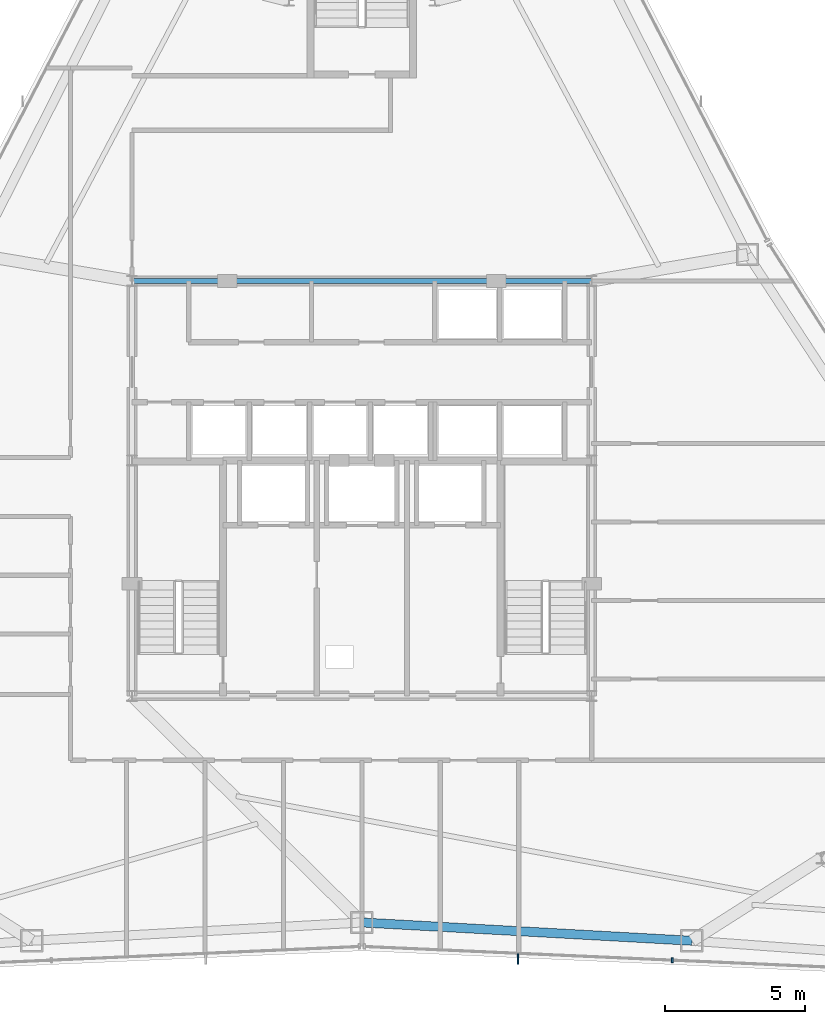
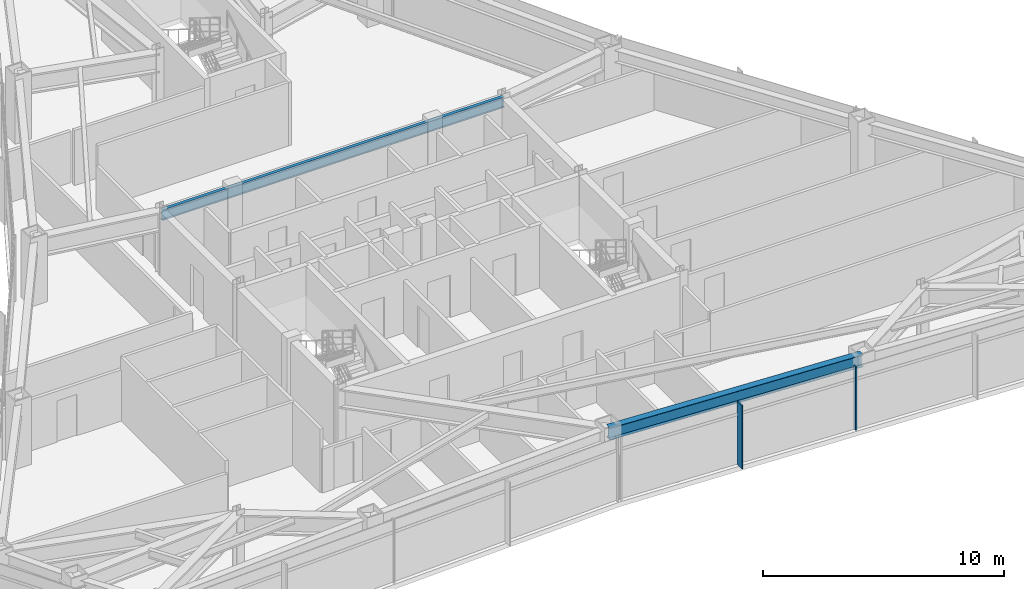
# One storey, part 6 of 13: 2 beams, 2 members, 1 element without a shape of its own.
"""IFC4 building model written with IfcOpenShell, lengths in metres."""

from ifc_helpers import new_model, si_unit, direction, frame, origin, origin_2d, place, context, subcontext, project, spatial, rectangle, i_section, extrude, source, transform, mapped, material, layer, layer_set, material_profile, profile_set, type_object, type_shapes, element, aggregate, save


model = new_model("IFC4")

# Units and contexts
model_context = context("Model", 3, precision=1e-05, world=origin(), true_north=direction((0.0, 1.0)))
body_context = subcontext(model_context, "Body", "Model", "MODEL_VIEW")
ifc_project = project(units=[si_unit("LENGTHUNIT", "METRE"), si_unit("AREAUNIT", "SQUARE_METRE"), si_unit("VOLUMEUNIT", "CUBIC_METRE"), si_unit("PLANEANGLEUNIT", "RADIAN"), si_unit("MASSUNIT", "GRAM", prefix="KILO")], contexts=[model_context])

# Site, building, storey
site_placement = place(None, origin())
site = spatial("IfcSite", under=ifc_project, at=site_placement, CompositionType="ELEMENT")
building_placement = place(site_placement, origin())
building = spatial("IfcBuilding", under=site, at=building_placement, Name="Varakhsha Concourse Tower", CompositionType="ELEMENT")
storey_placement = place(building_placement, frame((0.0, 0.0, 189.60009765625)))
storey = spatial("IfcBuildingStorey", under=building, at=storey_placement, Name="L54", CompositionType="ELEMENT", Elevation=189.60009765625)

# Beams
ifc_material_1 = material(Name="Structural Steel ASTM A992 Grade 50", Category="steel")
ifc_material_profile_1 = material_profile(ifc_material_1, i_section(OverallWidth=0.1669921875, OverallDepth=0.534912109375, WebThickness=0.010009765625, FlangeThickness=0.01708984375, at=origin_2d()), Name="W21X57")
ifc_profile_set_1 = profile_set([ifc_material_profile_1], Name="Structural Steel ASTM A992 Grade 50")
beam_type_1 = type_object("IfcBeamType", Name="BM-RAD-W21X57", PredefinedType="BEAM", material=ifc_profile_set_1)
beam_1_placement = place(storey_placement, frame((31.800048828125, 31.199951171875, 2.9423828125), z_axis=(1.0, 0.0, 0.0), x_axis=(0.0, 1.0, 0.0)))
element("IfcBeam", 1, at=beam_1_placement, inside=storey, type_object=beam_type_1, Name="BM-TCORE-L54-CN", PredefinedType="BEAM", context=body_context, shape_type="SweptSolid", body=[
    extrude(i_section(OverallWidth=0.1669921875, OverallDepth=0.534912109375, WebThickness=0.010009765625, FlangeThickness=0.01708984375, at=origin_2d()), origin(), (0.0, 0.0, 1.0), 16.39990234375),
])
ifc_material_profile_2 = material_profile(ifc_material_1, i_section(OverallWidth=0.323974609375, OverallDepth=0.611083984375, WebThickness=0.012939453125, FlangeThickness=0.01904296875, at=origin_2d()), Name="W24X104")
ifc_profile_set_2 = profile_set([ifc_material_profile_2], Name="Structural Steel ASTM A992 Grade 50")
beam_type_2 = type_object("IfcBeamType", Name="BM-SPAN-W24X104", PredefinedType="SPANDREL", material=ifc_profile_set_2)
beam_2_placement = place(storey_placement, frame((40.0, 8.3125, 2.904296875), z_axis=(0.998465571879, -0.055376003582, 0.0), x_axis=(0.055376003582, 0.998465571879, 0.0)))
element("IfcBeam", 2, at=beam_2_placement, inside=storey, type_object=beam_type_2, Name="BM-SPAN-L54-11", PredefinedType="SPANDREL", context=body_context, shape_type="SweptSolid", body=[
    extrude(i_section(OverallWidth=0.323974609375, OverallDepth=0.611083984375, WebThickness=0.012939453125, FlangeThickness=0.01904296875, at=origin_2d()), origin(), (0.0, 0.0, 1.0), 11.79345703125),
])

# Curtain wall, members
ifc_material_2 = material(Name="Anodised Bronze Architectural Aluminium AA 6063-T6", Category="aluminium")
ifc_layer = layer(ifc_material_2, 0.2099609375, Name="CW-SYS-04")
ifc_layer_set = layer_set([ifc_layer], Name="Anodised Bronze Architectural Aluminium AA 6063-T6")
curtain_wall_type = type_object("IfcCurtainWallType", Name="CW-SYS-04", PredefinedType="NOTDEFINED", material=ifc_layer_set)
curtain_wall_placement = place(storey_placement, origin())
curtain_wall = element("IfcCurtainWall", 3, at=curtain_wall_placement, inside=storey, type_object=curtain_wall_type, Name="L54 Crystal Curtain Wall F6", PredefinedType="NOTDEFINED")
ifc_material_profile_3 = material_profile(ifc_material_2, rectangle(XDim=0.06005859375, YDim=0.3798828125, at=origin_2d()), Name="FIN-BRZ-380")
ifc_profile_set_3 = profile_set([ifc_material_profile_3], Name="Anodised Bronze Architectural Aluminium AA 6063-T6")
member_type_1 = type_object("IfcMemberType", Name="FIN-BRZ-380", PredefinedType="USERDEFINED", material=ifc_profile_set_3)
shared_shape_1 = source(origin(), body_context, "Body", "SweptSolid", [
    extrude(rectangle(XDim=0.06005859375, YDim=0.3798828125, at=origin_2d()), origin(), (0.0, 0.0, 1.0), 3.2099609375),
])
type_shapes(member_type_1, [shared_shape_1])
member_1_placement = place(storey_placement, frame((45.571533203125, 7.008544921875, 0.0), z_axis=(0.0, 0.0, 1.0), x_axis=(1.0, 0.0, 0.0)))
member_1 = element("IfcMember", 4, at=member_1_placement, type_object=member_type_1, Name="L54 Anodised Bronze Solar Fin F6-2", ObjectType="SOLAR FIN", PredefinedType="USERDEFINED", context=body_context, shape_type="MappedRepresentation", body=[
    mapped(shared_shape_1, transform((0.0, 0.0, 0.0), scale=1.0)),
])
ifc_material_profile_4 = material_profile(ifc_material_2, rectangle(XDim=0.06494140625, YDim=0.179931640625, at=origin_2d()), Name="CWM-180X65")
ifc_profile_set_4 = profile_set([ifc_material_profile_4], Name="Anodised Bronze Architectural Aluminium AA 6063-T6")
member_type_2 = type_object("IfcMemberType", Name="CWM-180X65", PredefinedType="MULLION", material=ifc_profile_set_4)
shared_shape_2 = source(origin(), body_context, "Body", "SweptSolid", [
    extrude(rectangle(XDim=0.06494140625, YDim=0.179931640625, at=origin_2d()), origin(), (0.0, 0.0, 1.0), 3.2099609375),
])
type_shapes(member_type_2, [shared_shape_2])
member_2_placement = place(storey_placement, frame((51.07421875, 6.9697265625, 0.0), z_axis=(0.0, 0.0, 1.0), x_axis=(-0.999018917807, 0.04428545883, 0.0)))
member_2 = element("IfcMember", 5, at=member_2_placement, type_object=member_type_2, Name="CW-L54-F6 Mullion 01", PredefinedType="MULLION", context=body_context, shape_type="MappedRepresentation", body=[
    mapped(shared_shape_2, transform((0.0, 0.0, 0.0), scale=1.0)),
])
aggregate(curtain_wall, [member_2, member_1])

save(model, "model.ifc")
